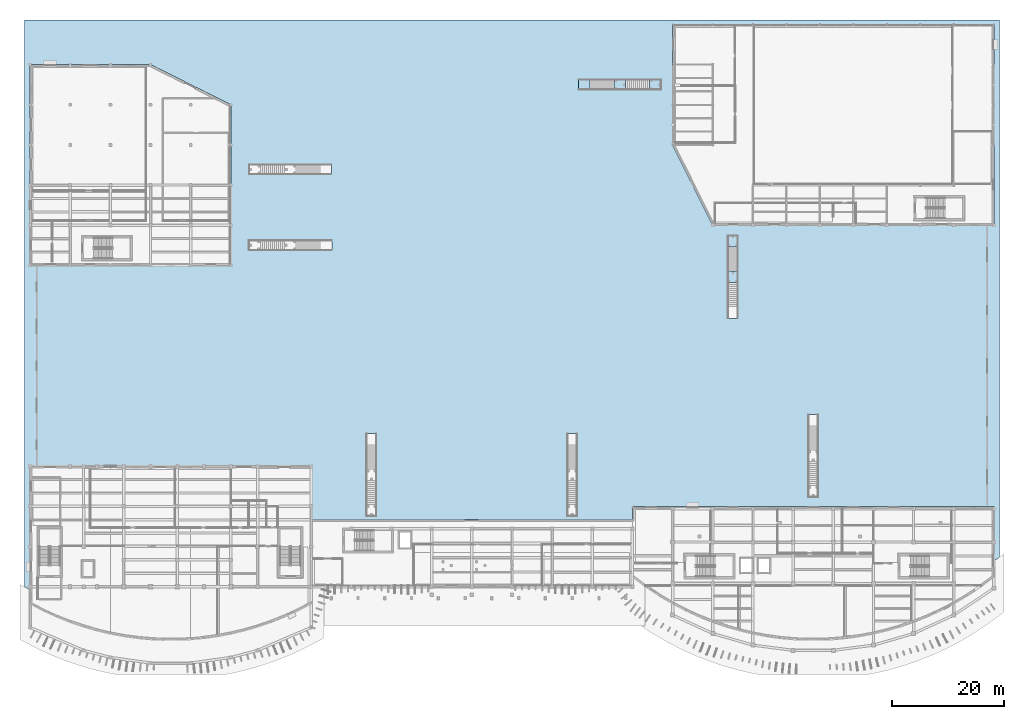
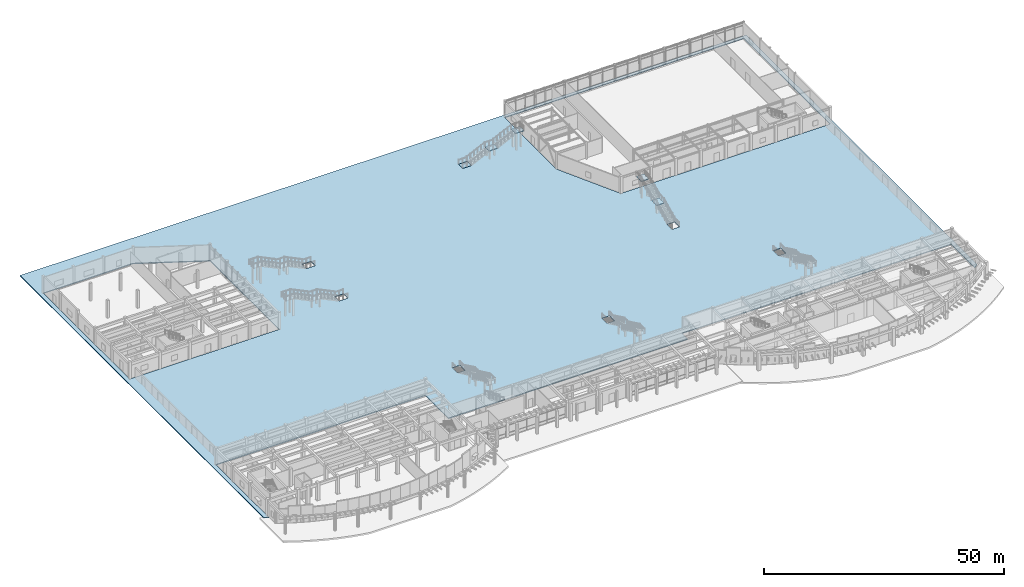
# One storey, part 25 of 58: 6 slabs, 2 elements without a shape of their own.
"""IFC4 building model written with IfcOpenShell, lengths in metres."""

from ifc_helpers import new_model, si_unit, direction, frame, origin, place, context, subcontext, project, spatial, polyline, outline, extrude, material, layer, layer_set, type_object, element, aggregate, save


model = new_model("IFC4")

# Units and contexts
model_context = context("Model", 3, precision=1e-05, world=origin(), true_north=direction((0.0, 1.0)))
body_context = subcontext(model_context, "Body", "Model", "MODEL_VIEW")
ifc_project = project(units=[si_unit("LENGTHUNIT", "METRE"), si_unit("AREAUNIT", "SQUARE_METRE"), si_unit("VOLUMEUNIT", "CUBIC_METRE"), si_unit("PLANEANGLEUNIT", "RADIAN"), si_unit("MASSUNIT", "GRAM", prefix="KILO")], contexts=[model_context])

# Site, building, storey
site_placement = place(None, origin())
site = spatial("IfcSite", under=ifc_project, at=site_placement, CompositionType="ELEMENT")
building_placement = place(site_placement, origin())
building = spatial("IfcBuilding", under=site, at=building_placement, Name="Brisavento Harbour Community Centre", CompositionType="ELEMENT")
storey_placement = place(building_placement, origin())
storey = spatial("IfcBuildingStorey", under=building, at=storey_placement, Name="L00", CompositionType="ELEMENT", Elevation=0.0)

# Slab
ifc_material_1 = material(Name="Concrete C35/45", Category="concrete")
ifc_layer_1 = layer(ifc_material_1, 0.199951171875, Name="Concrete C35/45")
ifc_layer_set_1 = layer_set([ifc_layer_1], Name="Concrete C35/45")
slab_type_1 = type_object("IfcSlabType", Name="SLB-CRT-200", PredefinedType="FLOOR", material=ifc_layer_set_1)
slab_1_placement = place(storey_placement, frame((0.0, 0.0, -0.199951171875)))
element("IfcSlab", 1, at=slab_1_placement, inside=storey, type_object=slab_type_1, Name="L00 central civic courtyard paving deck 01", PredefinedType="FLOOR", context=body_context, shape_type="SweptSolid", body=[
    extrude(outline(polyline([(-1.0, 14.405029296875), (-0.030029296875, 13.900146484375), (0.0, 36.030029296875), (50.406005859375, 36.029296875), (50.429931640625, 26.429931640625), (107.969970703125, 26.429931640625), (108.0, 28.830078125), (172.802978515625, 28.829833984375), (172.830078125, 19.0009765625), (173.800048828125, 19.72900390625), (173.800048828125, 116.0), (-1.0, 116.0), (-1.0, 14.405029296875)]), holes=[polyline([(172.816650390625, 115.224853515625), (172.824951171875, 79.183349609375), (122.383056640625, 79.17529296875), (115.17041015625, 93.594482421875), (115.197021484375, 115.22998046875), (172.816650390625, 115.224853515625)]), polyline([(36.027587890625, 100.811767578125), (36.02490234375, 71.9833984375), (-0.0166015625, 71.97509765625), (-0.02490234375, 108.0166015625), (21.61083984375, 108.028076171875), (36.027587890625, 100.811767578125)]), polyline([(60.300048828125, 41.8701171875), (62.10009765625, 41.8701171875), (62.10009765625, 39.77197265625), (60.300048828125, 39.77197265625), (60.300048828125, 41.8701171875)]), polyline([(96.300048828125, 41.8701171875), (98.10009765625, 41.8701171875), (98.10009765625, 39.77197265625), (96.300048828125, 39.77197265625), (96.300048828125, 41.8701171875)]), polyline([(126.909912109375, 62.510009765625), (125.090087890625, 62.510009765625), (125.090087890625, 64.6279296875), (126.909912109375, 64.6279296875), (126.909912109375, 62.510009765625)]), polyline([(54.090087890625, 76.510009765625), (54.090087890625, 74.68994140625), (51.971923828125, 74.68994140625), (51.971923828125, 76.510009765625), (54.090087890625, 76.510009765625)]), polyline([(139.5, 45.27001953125), (141.300048828125, 45.27001953125), (141.300048828125, 43.172119140625), (139.5, 43.172119140625), (139.5, 45.27001953125)]), polyline([(98.330078125, 103.5), (98.330078125, 105.300048828125), (100.427978515625, 105.300048828125), (100.427978515625, 103.5), (98.330078125, 103.5)]), polyline([(54.070068359375, 90.10009765625), (54.070068359375, 88.300048828125), (51.971923828125, 88.300048828125), (51.971923828125, 90.10009765625), (54.070068359375, 90.10009765625)])]), origin(), (0.0, 0.0, 1.0), 0.199951171875),
])

# Stair, slabs
ifc_material_2 = material(Name="Precast concrete C40/50", Category="concrete")
stair_type_1 = type_object("IfcStairType", Name="STR-MON-2", PredefinedType="STRAIGHT_RUN_STAIR", material=ifc_material_2)
stair_1_placement = place(storey_placement, origin())
stair_1 = element("IfcStair", 2, at=stair_1_placement, inside=storey, type_object=stair_type_1, Name="L00 monumental courtyard stair MST-03", PredefinedType="STRAIGHT_RUN_STAIR")
ifc_layer_2 = layer(ifc_material_1, 0.199951171875, Name="Concrete C35/45")
ifc_layer_set_2 = layer_set([ifc_layer_2], Name="Concrete C35/45")
slab_type_2 = type_object("IfcSlabType", Name="SLB-LND-200", PredefinedType="LANDING", material=ifc_layer_set_2)
slab_2_placement = place(storey_placement, frame((0.0, 0.0, 2.050048828125)))
slab_2 = element("IfcSlab", 3, at=slab_2_placement, type_object=slab_type_2, Name="MST-03 landing 2", PredefinedType="LANDING", context=body_context, shape_type="SweptSolid", body=[
    extrude(outline(polyline([(126.909912109375, 68.912109375), (126.909912109375, 70.998046875), (125.090087890625, 70.998046875), (125.090087890625, 68.912109375), (126.909912109375, 68.912109375)])), origin(), (0.0, 0.0, 1.0), 0.199951171875),
])
slab_3_placement = place(storey_placement, frame((0.0, 0.0, 4.300048828125)))
slab_3 = element("IfcSlab", 4, at=slab_3_placement, type_object=slab_type_2, Name="MST-03 landing 3", PredefinedType="LANDING", context=body_context, shape_type="SweptSolid", body=[
    extrude(outline(polyline([(126.909912109375, 75.302001953125), (126.909912109375, 77.3798828125), (125.090087890625, 77.3798828125), (125.090087890625, 75.302001953125), (126.909912109375, 75.302001953125)])), origin(), (0.0, 0.0, 1.0), 0.199951171875),
])
aggregate(stair_1, [slab_2, slab_3])

stair_type_2 = type_object("IfcStairType", Name="STR-MON-1", PredefinedType="STRAIGHT_RUN_STAIR", material=ifc_material_2)
stair_2_placement = place(storey_placement, origin())
stair_2 = element("IfcStair", 5, at=stair_2_placement, inside=storey, type_object=stair_type_2, Name="L00 monumental courtyard stair MST-06", PredefinedType="STRAIGHT_RUN_STAIR")
slab_4_placement = place(storey_placement, frame((0.0, 0.0, -0.199951171875)))
slab_4 = element("IfcSlab", 6, at=slab_4_placement, type_object=slab_type_2, Name="MST-06 landing 1", PredefinedType="LANDING", context=body_context, shape_type="SweptSolid", body=[
    extrude(outline(polyline([(98.35009765625, 103.5), (100.407958984375, 103.5), (100.407958984375, 105.300048828125), (98.35009765625, 105.300048828125), (98.35009765625, 103.5)])), origin(), (0.0, 0.0, 1.0), 0.199951171875),
])
slab_5_placement = place(storey_placement, frame((0.0, 0.0, 2.050048828125)))
slab_5 = element("IfcSlab", 7, at=slab_5_placement, type_object=slab_type_2, Name="MST-06 landing 2", PredefinedType="LANDING", context=body_context, shape_type="SweptSolid", body=[
    extrude(outline(polyline([(104.7119140625, 103.5), (106.778076171875, 103.5), (106.778076171875, 105.300048828125), (104.7119140625, 105.300048828125), (104.7119140625, 103.5)])), origin(), (0.0, 0.0, 1.0), 0.199951171875),
])
slab_6_placement = place(storey_placement, frame((0.0, 0.0, 4.300048828125)))
slab_6 = element("IfcSlab", 8, at=slab_6_placement, type_object=slab_type_2, Name="MST-06 landing 3", PredefinedType="LANDING", context=body_context, shape_type="SweptSolid", body=[
    extrude(outline(polyline([(111.08203125, 103.5), (113.139892578125, 103.5), (113.139892578125, 105.300048828125), (111.08203125, 105.300048828125), (111.08203125, 103.5)])), origin(), (0.0, 0.0, 1.0), 0.199951171875),
])
aggregate(stair_2, [slab_4, slab_5, slab_6])

save(model, "model.ifc")
